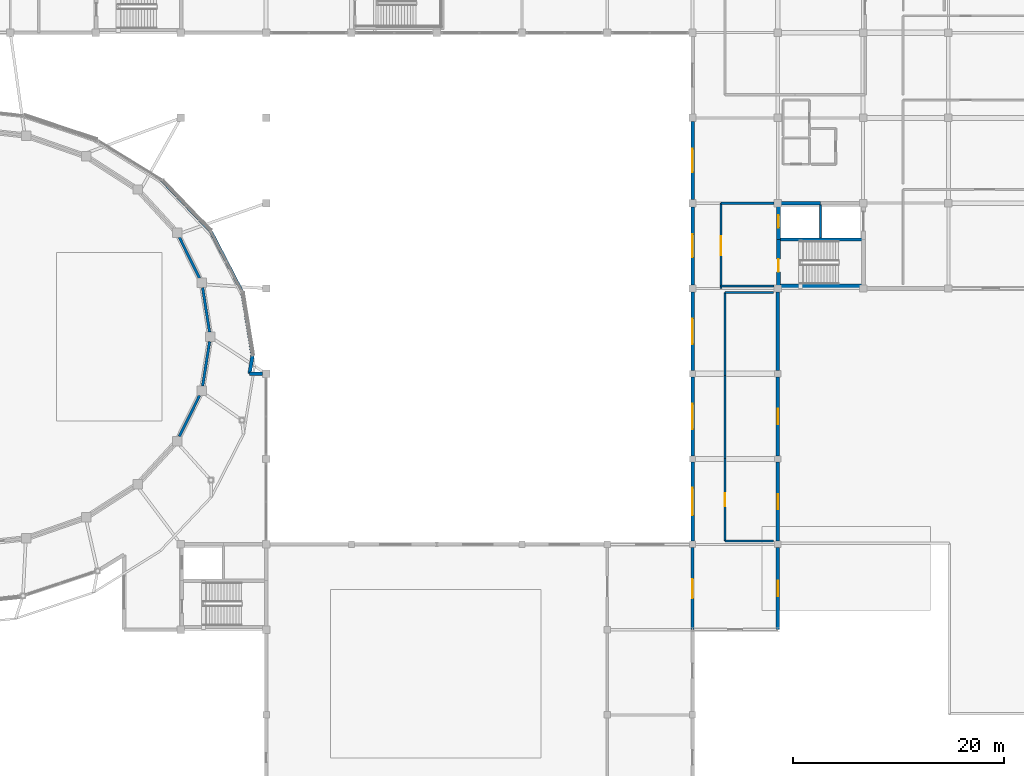
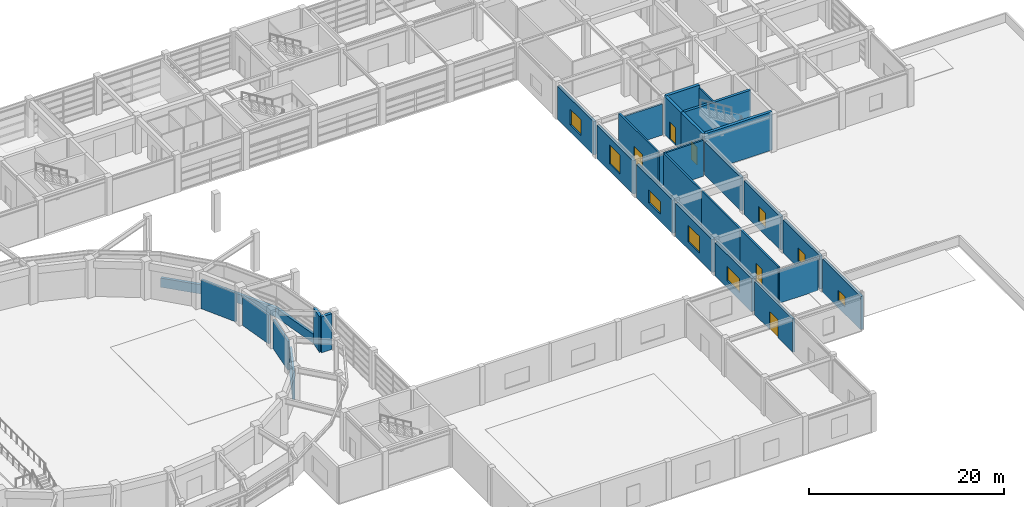
# One storey, part 38 of 56: 33 walls, 8 windows, 5 doors, 13 openings.
"""IFC4 building model written with IfcOpenShell, lengths in metres."""

from ifc_helpers import new_model, si_unit, direction, frame, frame_2d, origin, place, context, subcontext, project, spatial, rectangle, extrude, material, layer, layer_set, type_object, element, fill, save


model = new_model("IFC4")

# Units and contexts
model_context = context("Model", 3, precision=1e-05, world=origin(), true_north=direction((0.0, 1.0)))
body_context = subcontext(model_context, "Body", "Model", "MODEL_VIEW")
ifc_project = project(units=[si_unit("LENGTHUNIT", "METRE"), si_unit("AREAUNIT", "SQUARE_METRE"), si_unit("VOLUMEUNIT", "CUBIC_METRE"), si_unit("PLANEANGLEUNIT", "RADIAN"), si_unit("MASSUNIT", "GRAM", prefix="KILO")], contexts=[model_context])

# Site, building, storey
site_placement = place(None, origin())
site = spatial("IfcSite", under=ifc_project, at=site_placement, CompositionType="ELEMENT")
building_placement = place(site_placement, origin())
building = spatial("IfcBuilding", under=site, at=building_placement, Name="Parian Resonance Hall", CompositionType="ELEMENT")
storey_placement = place(building_placement, frame((0.0, 0.0, 5.39990234375)))
storey = spatial("IfcBuildingStorey", under=building, at=storey_placement, Name="L01", CompositionType="ELEMENT", Elevation=5.39990234375)

# Wall
ifc_material_1 = material(Name="Concrete C40/50", Category="concrete")
ifc_layer_1 = layer(ifc_material_1, 0.31005859375)
ifc_layer_set_1 = layer_set([ifc_layer_1], Name="Concrete C40/50")
wall_type_1 = type_object("IfcWallType", Name="CW310", PredefinedType="SHEAR", material=ifc_layer_set_1)
wall_1_placement = place(storey_placement, frame((121.570068359375, 53.25, 0.0), z_axis=(0.0, 0.0, 1.0), x_axis=(1.0, 0.0, 0.0)))
element("IfcWall", 1, at=wall_1_placement, inside=storey, type_object=wall_type_1, Name="Core K2 stair-lift divider wall L01", PredefinedType="SHEAR", context=body_context, shape_type="SweptSolid", body=[
    extrude(rectangle(XDim=8.059814453125, YDim=0.31005859375, at=frame_2d((4.02978515625, 0.0))), origin(), (0.0, 0.0, 1.0), 4.800048828125),
])

# Wall, opening, door
ifc_material_2 = material(Name="Concrete C40/50", Category="concrete")
ifc_layer_2 = layer(ifc_material_2, 0.35009765625)
ifc_layer_set_2 = layer_set([ifc_layer_2], Name="Concrete C40/50")
wall_type_2 = type_object("IfcWallType", Name="CW350", PredefinedType="SHEAR", material=ifc_layer_set_2)
wall_2_placement = place(storey_placement, frame((121.570068359375, 48.830078125, 0.0), z_axis=(0.0, 0.0, 1.0), x_axis=(0.0, 1.0, 0.0)))
wall_2 = element("IfcWall", 2, at=wall_2_placement, inside=storey, type_object=wall_type_2, Name="Core K2 stairwell west shear wall L01", PredefinedType="SHEAR", context=body_context, shape_type="SweptSolid", body=[
    extrude(rectangle(XDim=4.419921875, YDim=0.35009765625, at=frame_2d((2.2099609375, 0.0))), origin(), (0.0, 0.0, 1.0), 4.800048828125),
])
opening_1_placement = place(wall_2_placement, frame((1.35009765625, 0.0, 0.0)))
opening_1 = element("IfcOpeningElement", 3, at=opening_1_placement, cuts=wall_2, Name="Opening FD-01", PredefinedType="OPENING", context=body_context, shape_type="SweptSolid", body=[
    extrude(rectangle(XDim=1.199951171875, YDim=2.25, at=frame_2d((0.60009765625, 1.125))), frame((0.0, 0.18505859375, 0.0), z_axis=(0.0, -1.0, 0.0), x_axis=(1.0, 0.0, 0.0)), (0.0, 0.0, 1.0), 0.3701171875),
])
ifc_material_3 = material(Name="Fire-rated acoustic steel and narra timber door", Category="steel")
door_type_1 = type_object("IfcDoorType", Name="FD-01", OperationType="NOTDEFINED", PredefinedType="DOOR", material=ifc_material_3)
door_1_placement = place(opening_1_placement, origin())
door_1 = element("IfcDoor", 4, at=door_1_placement, inside=storey, type_object=door_type_1, Name="Exit stair ST-02 fire door L01", OperationType="SINGLE_SWING_RIGHT", OverallHeight=2.25, OverallWidth=1.199951171875, PredefinedType="DOOR", context=body_context, shape_type="SweptSolid", body=[
    extrude(rectangle(XDim=1.199951171875, YDim=2.25, at=frame_2d((0.60009765625, 1.125))), frame((0.0, 0.02490234375, 0.0), z_axis=(0.0, -1.0, 0.0), x_axis=(1.0, 0.0, 0.0)), (0.0, 0.0, 1.0), 0.050048828125),
])
fill(opening_1, door_1)

wall_3_placement = place(storey_placement, frame((121.570068359375, 53.25, 0.0), z_axis=(0.0, 0.0, 1.0), x_axis=(0.0, 1.0, 0.0)))
wall_3 = element("IfcWall", 5, at=wall_3_placement, inside=storey, type_object=wall_type_2, Name="Core K2 lift shaft west shear wall L01", PredefinedType="SHEAR", context=body_context, shape_type="SweptSolid", body=[
    extrude(rectangle(XDim=3.449951171875, YDim=0.35009765625, at=frame_2d((1.72509765625, 0.0))), origin(), (0.0, 0.0, 1.0), 4.800048828125),
])
opening_2_placement = place(wall_3_placement, frame((1.125, 0.0, 0.0)))
opening_2 = element("IfcOpeningElement", 6, at=opening_2_placement, cuts=wall_3, Name="Opening LD-01", PredefinedType="OPENING", context=body_context, shape_type="SweptSolid", body=[
    extrude(rectangle(XDim=1.199951171875, YDim=2.199951171875, at=frame_2d((0.60009765625, 1.10009765625))), frame((0.0, 0.18505859375, 0.0), z_axis=(0.0, -1.0, 0.0), x_axis=(1.0, 0.0, 0.0)), (0.0, 0.0, 1.0), 0.3701171875),
])
ifc_material_4 = material(Name="Stainless steel and bronze elevator cab", Category="steel")
door_type_2 = type_object("IfcDoorType", Name="DOOR-LIFT-1200x2200", OperationType="SLIDING_TO_LEFT", PredefinedType="DOOR", material=ifc_material_4)
door_2_placement = place(opening_2_placement, origin())
door_2 = element("IfcDoor", 7, at=door_2_placement, inside=storey, type_object=door_type_2, Name="Lift LF-02 sliding landing door L01", OperationType="SLIDING_TO_LEFT", OverallHeight=2.199951171875, OverallWidth=1.199951171875, PredefinedType="DOOR", context=body_context, shape_type="SweptSolid", body=[
    extrude(rectangle(XDim=1.199951171875, YDim=2.199951171875, at=frame_2d((0.60009765625, 1.10009765625))), frame((0.0, 0.02490234375, 0.0), z_axis=(0.0, -1.0, 0.0), x_axis=(1.0, 0.0, 0.0)), (0.0, 0.0, 1.0), 0.050048828125),
])
fill(opening_2, door_2)

# Walls
wall_4_placement = place(storey_placement, frame((121.570068359375, 56.699951171875, 0.0), z_axis=(0.0, 0.0, 1.0), x_axis=(1.0, 0.0, 0.0)))
element("IfcWall", 8, at=wall_4_placement, inside=storey, type_object=wall_type_2, Name="Core K2 north-west shaft wall L01", PredefinedType="SHEAR", context=body_context, shape_type="SweptSolid", body=[
    extrude(rectangle(XDim=3.97998046875, YDim=0.35009765625, at=frame_2d((1.989990234375, 0.0))), origin(), (0.0, 0.0, 1.0), 4.800048828125),
])
wall_5_placement = place(storey_placement, frame((129.6298828125, 48.830078125, 0.0), z_axis=(0.0, 0.0, 1.0), x_axis=(-1.0, 0.0, 0.0)))
element("IfcWall", 9, at=wall_5_placement, inside=storey, type_object=wall_type_2, Name="Core K2 stairwell south wall L01", PredefinedType="SHEAR", context=body_context, shape_type="SweptSolid", body=[
    extrude(rectangle(XDim=8.059814453125, YDim=0.35009765625, at=frame_2d((4.02978515625, 0.0))), origin(), (0.0, 0.0, 1.0), 4.800048828125),
])
ifc_material_5 = material(Name="Concrete C35/45 with white lime plaster and polychrome mosaic", Category="concrete")
ifc_layer_3 = layer(ifc_material_5, 0.320068359375)
ifc_layer_set_3 = layer_set([ifc_layer_3], Name="Concrete C35/45 with white lime plaster and polychrome mosaic")
wall_type_3 = type_object("IfcWallType", Name="EW-RING-320", PredefinedType="SOLIDWALL", material=ifc_layer_set_3)
wall_6_placement = place(storey_placement, frame((70.59814453125, 48.30810546875, 0.0), z_axis=(0.0, 0.0, 1.0), x_axis=(0.161871996396, -0.986811763602, 0.0)))
element("IfcWall", 10, at=wall_6_placement, inside=storey, type_object=wall_type_3, Name="Elliptical R1 mosaic spandrel wall 01", PredefinedType="SOLIDWALL", context=body_context, shape_type="SweptSolid", body=[
    extrude(rectangle(XDim=6.189697265625, YDim=0.320068359375, at=frame_2d((3.0947265625, 0.0))), origin(), (0.0, 0.0, 1.0), 1.150146484375),
])
wall_7_placement = place(storey_placement, frame((67.6611328125, 54.0, 0.0), z_axis=(0.0, 0.0, 1.0), x_axis=(0.458551648707, -0.888667758765, 0.0)))
element("IfcWall", 11, at=wall_7_placement, inside=storey, type_object=wall_type_3, Name="Elliptical R1 mosaic spandrel wall 02", PredefinedType="SOLIDWALL", context=body_context, shape_type="SweptSolid", body=[
    extrude(rectangle(XDim=6.405029296875, YDim=0.320068359375, at=frame_2d((3.20263671875, 0.0))), origin(), (0.0, 0.0, 1.0), 1.150146484375),
])
wall_8_placement = place(storey_placement, frame((62.989013671875, 58.8876953125, 0.0), z_axis=(0.0, 0.0, 1.0), x_axis=(0.690985683524, -0.722868442502, 0.0)))
element("IfcWall", 12, at=wall_8_placement, inside=storey, type_object=wall_type_3, Name="Elliptical R1 mosaic spandrel wall 03", PredefinedType="SOLIDWALL", context=body_context, shape_type="SweptSolid", body=[
    extrude(rectangle(XDim=6.761474609375, YDim=0.320068359375, at=frame_2d((3.380859375, 0.0))), origin(), (0.0, 0.0, 1.0), 1.150146484375),
])

# Wall, opening, window
ifc_material_6 = material(Name="Concrete C35/45 with Carcar coral-limestone ashlar", Category="masonry")
ifc_layer_4 = layer(ifc_material_6, 0.340087890625)
ifc_layer_set_4 = layer_set([ifc_layer_4], Name="Concrete C35/45 with Carcar coral-limestone ashlar")
wall_type_4 = type_object("IfcWallType", Name="EW-STONE-340", PredefinedType="SOLIDWALL", material=ifc_layer_set_4)
wall_9_placement = place(storey_placement, frame((121.5, 16.199951171875, 0.0), z_axis=(0.0, 0.0, 1.0), x_axis=(0.0, 1.0, 0.0)))
wall_9 = element("IfcWall", 13, at=wall_9_placement, inside=storey, type_object=wall_type_4, Name="Perimeter closure wall L01", PredefinedType="SOLIDWALL", context=body_context, shape_type="SweptSolid", body=[
    extrude(rectangle(XDim=7.800048828125, YDim=0.340087890625, at=frame_2d((3.89990234375, 0.0))), origin(), (0.0, 0.0, 1.0), 4.1669921875),
])
opening_3_placement = place(wall_9_placement, frame((3.175048828125, 0.0, 0.89990234375)))
opening_3 = element("IfcOpeningElement", 14, at=opening_3_placement, cuts=wall_9, Name="Opening WN-20", PredefinedType="OPENING", context=body_context, shape_type="SweptSolid", body=[
    extrude(rectangle(XDim=1.449951171875, YDim=1.300048828125, at=frame_2d((0.72509765625, 0.64990234375))), frame((0.0, 0.179931640625, 0.0), z_axis=(0.0, -1.0, 0.0), x_axis=(1.0, 0.0, 0.0)), (0.0, 0.0, 1.0), 0.360107421875),
])
ifc_material_7 = material(Name="Acoustic laminated double glazing", Category="glass")
window_type_1 = type_object("IfcWindowType", Name="WIN-1450x1300", PartitioningType="SINGLE_PANEL", PredefinedType="WINDOW", material=ifc_material_7)
window_1_placement = place(opening_3_placement, origin())
window_1 = element("IfcWindow", 15, at=window_1_placement, inside=storey, type_object=window_type_1, Name="Acoustic window L01-0059", OverallHeight=1.300048828125, OverallWidth=1.449951171875, PartitioningType="SINGLE_PANEL", PredefinedType="WINDOW", context=body_context, shape_type="SweptSolid", body=[
    extrude(rectangle(XDim=1.449951171875, YDim=1.300048828125, at=frame_2d((0.72509765625, 0.64990234375))), frame((0.0, 0.030029296875, 0.0), z_axis=(0.0, -1.0, 0.0), x_axis=(1.0, 0.0, 0.0)), (0.0, 0.0, 1.0), 0.06005859375),
])
fill(opening_3, window_1)

wall_10_placement = place(storey_placement, frame((121.5, 24.60009765625, 0.0), z_axis=(0.0, 0.0, 1.0), x_axis=(0.0, 1.0, 0.0)))
wall_10 = element("IfcWall", 16, at=wall_10_placement, inside=storey, type_object=wall_type_4, Name="Perimeter closure wall L01", PredefinedType="SOLIDWALL", context=body_context, shape_type="SweptSolid", body=[
    extrude(rectangle(XDim=7.5, YDim=0.340087890625, at=frame_2d((3.75, 0.0))), origin(), (0.0, 0.0, 1.0), 4.1669921875),
])
opening_4_placement = place(wall_10_placement, frame((3.02490234375, 0.0, 0.89990234375)))
opening_4 = element("IfcOpeningElement", 17, at=opening_4_placement, cuts=wall_10, Name="Opening WN-21", PredefinedType="OPENING", context=body_context, shape_type="SweptSolid", body=[
    extrude(rectangle(XDim=1.449951171875, YDim=1.60009765625, at=frame_2d((0.72509765625, 0.800048828125))), frame((0.0, 0.179931640625, 0.0), z_axis=(0.0, -1.0, 0.0), x_axis=(1.0, 0.0, 0.0)), (0.0, 0.0, 1.0), 0.360107421875),
])
ifc_material_8 = material(Name="Acoustic laminated double glazing", Category="glass")
window_type_2 = type_object("IfcWindowType", Name="WIN-1450x1600", PartitioningType="SINGLE_PANEL", PredefinedType="WINDOW", material=ifc_material_8)
window_2_placement = place(opening_4_placement, origin())
window_2 = element("IfcWindow", 18, at=window_2_placement, inside=storey, type_object=window_type_2, Name="Acoustic window L01-0060", OverallHeight=1.60009765625, OverallWidth=1.449951171875, PartitioningType="SINGLE_PANEL", PredefinedType="WINDOW", context=body_context, shape_type="SweptSolid", body=[
    extrude(rectangle(XDim=1.449951171875, YDim=1.60009765625, at=frame_2d((0.72509765625, 0.800048828125))), frame((0.0, 0.030029296875, 0.0), z_axis=(0.0, -1.0, 0.0), x_axis=(1.0, 0.0, 0.0)), (0.0, 0.0, 1.0), 0.06005859375),
])
fill(opening_4, window_2)

wall_11_placement = place(storey_placement, frame((121.5, 32.699951171875, 0.0), z_axis=(0.0, 0.0, 1.0), x_axis=(0.0, 1.0, 0.0)))
wall_11 = element("IfcWall", 19, at=wall_11_placement, inside=storey, type_object=wall_type_4, Name="Perimeter closure wall L01", PredefinedType="SOLIDWALL", context=body_context, shape_type="SweptSolid", body=[
    extrude(rectangle(XDim=7.5, YDim=0.340087890625, at=frame_2d((3.75, 0.0))), origin(), (0.0, 0.0, 1.0), 4.1669921875),
])
opening_5_placement = place(wall_11_placement, frame((3.02490234375, 0.0, 0.89990234375)))
opening_5 = element("IfcOpeningElement", 20, at=opening_5_placement, cuts=wall_11, Name="Opening WN-22", PredefinedType="OPENING", context=body_context, shape_type="SweptSolid", body=[
    extrude(rectangle(XDim=1.449951171875, YDim=1.89990234375, at=frame_2d((0.72509765625, 0.949951171875))), frame((0.0, 0.179931640625, 0.0), z_axis=(0.0, -1.0, 0.0), x_axis=(1.0, 0.0, 0.0)), (0.0, 0.0, 1.0), 0.360107421875),
])
ifc_material_9 = material(Name="Acoustic laminated double glazing", Category="glass")
window_type_3 = type_object("IfcWindowType", Name="WIN-1450x1900", PartitioningType="SINGLE_PANEL", PredefinedType="WINDOW", material=ifc_material_9)
window_3_placement = place(opening_5_placement, origin())
window_3 = element("IfcWindow", 21, at=window_3_placement, inside=storey, type_object=window_type_3, Name="Acoustic window L01-0061", OverallHeight=1.89990234375, OverallWidth=1.449951171875, PartitioningType="SINGLE_PANEL", PredefinedType="WINDOW", context=body_context, shape_type="SweptSolid", body=[
    extrude(rectangle(XDim=1.449951171875, YDim=1.89990234375, at=frame_2d((0.72509765625, 0.949951171875))), frame((0.0, 0.030029296875, 0.0), z_axis=(0.0, -1.0, 0.0), x_axis=(1.0, 0.0, 0.0)), (0.0, 0.0, 1.0), 0.06005859375),
])
fill(opening_5, window_3)

# Wall
wall_12_placement = place(storey_placement, frame((121.5, 40.800048828125, 0.0), z_axis=(0.0, 0.0, 1.0), x_axis=(0.0, 1.0, 0.0)))
element("IfcWall", 22, at=wall_12_placement, inside=storey, type_object=wall_type_4, Name="Perimeter closure wall L01", PredefinedType="SOLIDWALL", context=body_context, shape_type="SweptSolid", body=[
    extrude(rectangle(XDim=7.449951171875, YDim=0.340087890625, at=frame_2d((3.72509765625, 0.0))), origin(), (0.0, 0.0, 1.0), 4.1669921875),
])

# Wall, opening, window
wall_13_placement = place(storey_placement, frame((113.39990234375, 64.449951171875, 0.0), z_axis=(0.0, 0.0, 1.0), x_axis=(0.0, -1.0, 0.0)))
wall_13 = element("IfcWall", 23, at=wall_13_placement, inside=storey, type_object=wall_type_4, Name="Perimeter closure wall L01", PredefinedType="SOLIDWALL", context=body_context, shape_type="SweptSolid", body=[
    extrude(rectangle(XDim=7.39990234375, YDim=0.340087890625, at=frame_2d((3.699951171875, 0.0))), origin(), (0.0, 0.0, 1.0), 4.1669921875),
])
opening_6_placement = place(wall_13_placement, frame((2.60009765625, 0.0, 0.89990234375)))
opening_6 = element("IfcOpeningElement", 24, at=opening_6_placement, cuts=wall_13, Name="Opening WN-40", PredefinedType="OPENING", context=body_context, shape_type="SweptSolid", body=[
    extrude(rectangle(XDim=2.199951171875, YDim=1.949951171875, at=frame_2d((1.10009765625, 0.97509765625))), frame((0.0, 0.179931640625, 0.0), z_axis=(0.0, -1.0, 0.0), x_axis=(1.0, 0.0, 0.0)), (0.0, 0.0, 1.0), 0.360107421875),
])
ifc_material_10 = material(Name="Acoustic laminated double glazing", Category="glass")
window_type_4 = type_object("IfcWindowType", Name="WIN-2200x1950", PartitioningType="SINGLE_PANEL", PredefinedType="WINDOW", material=ifc_material_10)
window_4_placement = place(opening_6_placement, origin())
window_4 = element("IfcWindow", 25, at=window_4_placement, inside=storey, type_object=window_type_4, Name="Acoustic window L01-0072", OverallHeight=1.949951171875, OverallWidth=2.199951171875, PartitioningType="SINGLE_PANEL", PredefinedType="WINDOW", context=body_context, shape_type="SweptSolid", body=[
    extrude(rectangle(XDim=2.199951171875, YDim=1.949951171875, at=frame_2d((1.10009765625, 0.97509765625))), frame((0.0, 0.030029296875, 0.0), z_axis=(0.0, -1.0, 0.0), x_axis=(1.0, 0.0, 0.0)), (0.0, 0.0, 1.0), 0.06005859375),
])
fill(opening_6, window_4)

wall_14_placement = place(storey_placement, frame((113.39990234375, 56.35009765625, 0.0), z_axis=(0.0, 0.0, 1.0), x_axis=(0.0, -1.0, 0.0)))
wall_14 = element("IfcWall", 26, at=wall_14_placement, inside=storey, type_object=wall_type_4, Name="Perimeter closure wall L01", PredefinedType="SOLIDWALL", context=body_context, shape_type="SweptSolid", body=[
    extrude(rectangle(XDim=7.400146484375, YDim=0.340087890625, at=frame_2d((3.7001953125, 0.0))), origin(), (0.0, 0.0, 1.0), 4.1669921875),
])
opening_7_placement = place(wall_14_placement, frame((2.60009765625, 0.0, 0.89990234375)))
opening_7 = element("IfcOpeningElement", 27, at=opening_7_placement, cuts=wall_14, Name="Opening WN-41", PredefinedType="OPENING", context=body_context, shape_type="SweptSolid", body=[
    extrude(rectangle(XDim=2.199951171875, YDim=2.39990234375, at=frame_2d((1.10009765625, 1.199951171875))), frame((0.0, 0.179931640625, 0.0), z_axis=(0.0, -1.0, 0.0), x_axis=(1.0, 0.0, 0.0)), (0.0, 0.0, 1.0), 0.360107421875),
])
ifc_material_11 = material(Name="Acoustic laminated double glazing", Category="glass")
window_type_5 = type_object("IfcWindowType", Name="WIN-2200x2400", PartitioningType="SINGLE_PANEL", PredefinedType="WINDOW", material=ifc_material_11)
window_5_placement = place(opening_7_placement, origin())
window_5 = element("IfcWindow", 28, at=window_5_placement, inside=storey, type_object=window_type_5, Name="Acoustic window L01-0073", OverallHeight=2.39990234375, OverallWidth=2.199951171875, PartitioningType="SINGLE_PANEL", PredefinedType="WINDOW", context=body_context, shape_type="SweptSolid", body=[
    extrude(rectangle(XDim=2.199951171875, YDim=2.39990234375, at=frame_2d((1.10009765625, 1.199951171875))), frame((0.0, 0.030029296875, 0.0), z_axis=(0.0, -1.0, 0.0), x_axis=(1.0, 0.0, 0.0)), (0.0, 0.0, 1.0), 0.06005859375),
])
fill(opening_7, window_5)

wall_15_placement = place(storey_placement, frame((113.39990234375, 48.25, 0.0), z_axis=(0.0, 0.0, 1.0), x_axis=(0.0, -1.0, 0.0)))
wall_15 = element("IfcWall", 29, at=wall_15_placement, inside=storey, type_object=wall_type_4, Name="Perimeter closure wall L01", PredefinedType="SOLIDWALL", context=body_context, shape_type="SweptSolid", body=[
    extrude(rectangle(XDim=7.449951171875, YDim=0.340087890625, at=frame_2d((3.72509765625, 0.0))), origin(), (0.0, 0.0, 1.0), 4.1669921875),
])
opening_8_placement = place(wall_15_placement, frame((2.52490234375, 0.0, 0.89990234375)))
opening_8 = element("IfcOpeningElement", 30, at=opening_8_placement, cuts=wall_15, Name="Opening WN-42", PredefinedType="OPENING", context=body_context, shape_type="SweptSolid", body=[
    extrude(rectangle(XDim=2.39990234375, YDim=1.60009765625, at=frame_2d((1.199951171875, 0.800048828125))), frame((0.0, 0.179931640625, 0.0), z_axis=(0.0, -1.0, 0.0), x_axis=(1.0, 0.0, 0.0)), (0.0, 0.0, 1.0), 0.360107421875),
])
ifc_material_12 = material(Name="Acoustic laminated double glazing", Category="glass")
window_type_6 = type_object("IfcWindowType", Name="WIN-2400x1600", PartitioningType="SINGLE_PANEL", PredefinedType="WINDOW", material=ifc_material_12)
window_6_placement = place(opening_8_placement, origin())
window_6 = element("IfcWindow", 31, at=window_6_placement, inside=storey, type_object=window_type_6, Name="Acoustic window L01-0074", OverallHeight=1.60009765625, OverallWidth=2.39990234375, PartitioningType="SINGLE_PANEL", PredefinedType="WINDOW", context=body_context, shape_type="SweptSolid", body=[
    extrude(rectangle(XDim=2.39990234375, YDim=1.60009765625, at=frame_2d((1.199951171875, 0.800048828125))), frame((0.0, 0.030029296875, 0.0), z_axis=(0.0, -1.0, 0.0), x_axis=(1.0, 0.0, 0.0)), (0.0, 0.0, 1.0), 0.06005859375),
])
fill(opening_8, window_6)

wall_16_placement = place(storey_placement, frame((113.39990234375, 40.199951171875, 0.0), z_axis=(0.0, 0.0, 1.0), x_axis=(0.0, -1.0, 0.0)))
wall_16 = element("IfcWall", 32, at=wall_16_placement, inside=storey, type_object=wall_type_4, Name="Perimeter closure wall L01", PredefinedType="SOLIDWALL", context=body_context, shape_type="SweptSolid", body=[
    extrude(rectangle(XDim=7.5, YDim=0.340087890625, at=frame_2d((3.75, 0.0))), origin(), (0.0, 0.0, 1.0), 4.1669921875),
])
opening_9_placement = place(wall_16_placement, frame((2.550048828125, 0.0, 0.89990234375)))
opening_9 = element("IfcOpeningElement", 33, at=opening_9_placement, cuts=wall_16, Name="Opening WN-43", PredefinedType="OPENING", context=body_context, shape_type="SweptSolid", body=[
    extrude(rectangle(XDim=2.39990234375, YDim=2.10009765625, at=frame_2d((1.199951171875, 1.050048828125))), frame((0.0, 0.179931640625, 0.0), z_axis=(0.0, -1.0, 0.0), x_axis=(1.0, 0.0, 0.0)), (0.0, 0.0, 1.0), 0.360107421875),
])
ifc_material_13 = material(Name="Acoustic laminated double glazing", Category="glass")
window_type_7 = type_object("IfcWindowType", Name="WIN-2400x2100", PartitioningType="SINGLE_PANEL", PredefinedType="WINDOW", material=ifc_material_13)
window_7_placement = place(opening_9_placement, origin())
window_7 = element("IfcWindow", 34, at=window_7_placement, inside=storey, type_object=window_type_7, Name="Acoustic window L01-0075", OverallHeight=2.10009765625, OverallWidth=2.39990234375, PartitioningType="SINGLE_PANEL", PredefinedType="WINDOW", context=body_context, shape_type="SweptSolid", body=[
    extrude(rectangle(XDim=2.39990234375, YDim=2.10009765625, at=frame_2d((1.199951171875, 1.050048828125))), frame((0.0, 0.030029296875, 0.0), z_axis=(0.0, -1.0, 0.0), x_axis=(1.0, 0.0, 0.0)), (0.0, 0.0, 1.0), 0.06005859375),
])
fill(opening_9, window_7)

wall_17_placement = place(storey_placement, frame((113.39990234375, 32.10009765625, 0.0), z_axis=(0.0, 0.0, 1.0), x_axis=(0.0, -1.0, 0.0)))
wall_17 = element("IfcWall", 35, at=wall_17_placement, inside=storey, type_object=wall_type_4, Name="Perimeter closure wall L01", PredefinedType="SOLIDWALL", context=body_context, shape_type="SweptSolid", body=[
    extrude(rectangle(XDim=7.5, YDim=0.340087890625, at=frame_2d((3.75, 0.0))), origin(), (0.0, 0.0, 1.0), 4.1669921875),
])
opening_10_placement = place(wall_17_placement, frame((2.449951171875, 0.0, 0.89990234375)))
opening_10 = element("IfcOpeningElement", 36, at=opening_10_placement, cuts=wall_17, Name="Opening WN-44", PredefinedType="OPENING", context=body_context, shape_type="SweptSolid", body=[
    extrude(rectangle(XDim=2.60009765625, YDim=1.800048828125, at=frame_2d((1.300048828125, 0.89990234375))), frame((0.0, 0.179931640625, 0.0), z_axis=(0.0, -1.0, 0.0), x_axis=(1.0, 0.0, 0.0)), (0.0, 0.0, 1.0), 0.360107421875),
])
ifc_material_14 = material(Name="Acoustic laminated double glazing", Category="glass")
window_type_8 = type_object("IfcWindowType", Name="WIN-2600x1800", PartitioningType="SINGLE_PANEL", PredefinedType="WINDOW", material=ifc_material_14)
window_8_placement = place(opening_10_placement, origin())
window_8 = element("IfcWindow", 37, at=window_8_placement, inside=storey, type_object=window_type_8, Name="Acoustic window L01-0076", OverallHeight=1.800048828125, OverallWidth=2.60009765625, PartitioningType="SINGLE_PANEL", PredefinedType="WINDOW", context=body_context, shape_type="SweptSolid", body=[
    extrude(rectangle(XDim=2.60009765625, YDim=1.800048828125, at=frame_2d((1.300048828125, 0.89990234375))), frame((0.0, 0.030029296875, 0.0), z_axis=(0.0, -1.0, 0.0), x_axis=(1.0, 0.0, 0.0)), (0.0, 0.0, 1.0), 0.06005859375),
])
fill(opening_10, window_8)

# Walls
wall_18_placement = place(storey_placement, frame((72.550048828125, 40.5, 0.0), z_axis=(0.0, 0.0, 1.0), x_axis=(-1.0, 0.0, 0.0)))
element("IfcWall", 38, at=wall_18_placement, inside=storey, type_object=wall_type_4, Name="Perimeter closure wall L01", PredefinedType="SOLIDWALL", context=body_context, shape_type="SweptSolid", body=[
    extrude(rectangle(XDim=1.22900390625, YDim=0.340087890625, at=frame_2d((0.614501953125, 0.0))), origin(), (0.0, 0.0, 1.0), 4.5),
])
wall_19_placement = place(storey_placement, frame((71.321044921875, 40.5, 0.0), z_axis=(0.0, 0.0, 1.0), x_axis=(0.161985432953, 0.986793149303, 0.0)))
element("IfcWall", 39, at=wall_19_placement, inside=storey, type_object=wall_type_4, Name="Perimeter closure wall L01", PredefinedType="SOLIDWALL", context=body_context, shape_type="SweptSolid", body=[
    extrude(rectangle(XDim=1.72265625, YDim=0.340087890625, at=frame_2d((0.861328125, 0.0))), origin(), (0.0, 0.0, 1.0), 4.5),
])

# Wall, opening, door
ifc_material_15 = material(Name="Concrete C35/45 fire barrier", Category="concrete")
ifc_layer_5 = layer(ifc_material_15, 0.199951171875)
ifc_layer_set_5 = layer_set([ifc_layer_5], Name="Concrete C35/45 fire barrier")
wall_type_5 = type_object("IfcWallType", Name="FW200", PredefinedType="PARTITIONING", material=ifc_layer_set_5)
wall_20_placement = place(storey_placement, frame((116.10009765625, 48.60009765625, 0.0), z_axis=(0.0, 0.0, 1.0), x_axis=(0.0, 1.0, 0.0)))
wall_20 = element("IfcWall", 40, at=wall_20_placement, inside=storey, type_object=wall_type_5, Name="Firefighting lift lobby K2 west fire barrier L01", PredefinedType="PARTITIONING", context=body_context, shape_type="SweptSolid", body=[
    extrude(rectangle(XDim=8.099853515625, YDim=0.199951171875, at=frame_2d((4.0498046875, 0.0))), origin(), (0.0, 0.0, 1.0), 4.5),
])
opening_11_placement = place(wall_20_placement, frame((3.14990234375, 0.0, 0.0)))
opening_11 = element("IfcOpeningElement", 41, at=opening_11_placement, cuts=wall_20, Name="Opening FD-02", PredefinedType="OPENING", context=body_context, shape_type="SweptSolid", body=[
    extrude(rectangle(XDim=1.800048828125, YDim=2.25, at=frame_2d((0.89990234375, 1.125))), frame((0.0, 0.10986328125, 0.0), z_axis=(0.0, -1.0, 0.0), x_axis=(1.0, 0.0, 0.0)), (0.0, 0.0, 1.0), 0.219970703125),
])
ifc_material_16 = material(Name="Fire-rated acoustic steel and narra timber door", Category="steel")
door_type_3 = type_object("IfcDoorType", Name="FD-02", OperationType="NOTDEFINED", PredefinedType="DOOR", material=ifc_material_16)
door_3_placement = place(opening_11_placement, origin())
door_3 = element("IfcDoor", 42, at=door_3_placement, inside=storey, type_object=door_type_3, Name="Firefighting lift lobby K2 smoke-seal fire door L01", OperationType="DOUBLE_DOOR_SINGLE_SWING", OverallHeight=2.25, OverallWidth=1.800048828125, PredefinedType="DOOR", context=body_context, shape_type="SweptSolid", body=[
    extrude(rectangle(XDim=1.800048828125, YDim=2.25, at=frame_2d((0.89990234375, 1.125))), frame((0.0, 0.02490234375, 0.0), z_axis=(0.0, -1.0, 0.0), x_axis=(1.0, 0.0, 0.0)), (0.0, 0.0, 1.0), 0.050048828125),
])
fill(opening_11, door_3)

# Walls
wall_21_placement = place(storey_placement, frame((116.10009765625, 56.699951171875, 0.0), z_axis=(0.0, 0.0, 1.0), x_axis=(1.0, 0.0, 0.0)))
element("IfcWall", 43, at=wall_21_placement, inside=storey, type_object=wall_type_5, Name="Firefighting lift lobby K2 N fire barrier L01", PredefinedType="PARTITIONING", context=body_context, shape_type="SweptSolid", body=[
    extrude(rectangle(XDim=5.0498046875, YDim=0.199951171875, at=frame_2d((2.52490234375, 0.0))), origin(), (0.0, 0.0, 1.0), 3.916015625),
])
wall_22_placement = place(storey_placement, frame((121.14990234375, 48.830078125, 0.0), z_axis=(0.0, 0.0, 1.0), x_axis=(-1.0, 0.0, 0.0)))
element("IfcWall", 44, at=wall_22_placement, inside=storey, type_object=wall_type_5, Name="Firefighting lift lobby K2 S fire barrier L01", PredefinedType="PARTITIONING", context=body_context, shape_type="SweptSolid", body=[
    extrude(rectangle(XDim=5.0498046875, YDim=0.199951171875, at=frame_2d((2.52490234375, 0.0))), origin(), (0.0, 0.0, 1.0), 3.97998046875),
])
wall_23_placement = place(storey_placement, frame((121.10009765625, 24.60009765625, 0.0), z_axis=(0.0, 0.0, 1.0), x_axis=(-1.0, 0.0, 0.0)))
element("IfcWall", 45, at=wall_23_placement, inside=storey, type_object=wall_type_5, Name="Interior acoustic partition IW-L01-0155", PredefinedType="PARTITIONING", context=body_context, shape_type="SweptSolid", body=[
    extrude(rectangle(XDim=4.60009765625, YDim=0.199951171875, at=frame_2d((2.300048828125, 0.0))), origin(), (0.0, 0.0, 1.0), 4.064208984375),
])

# Wall, opening, door
wall_24_placement = place(storey_placement, frame((116.5, 24.60009765625, 0.0), z_axis=(0.0, 0.0, 1.0), x_axis=(0.0, 1.0, 0.0)))
wall_24 = element("IfcWall", 46, at=wall_24_placement, inside=storey, type_object=wall_type_5, Name="Interior acoustic partition IW-L01-0156", PredefinedType="PARTITIONING", context=body_context, shape_type="SweptSolid", body=[
    extrude(rectangle(XDim=7.86669921875, YDim=0.199951171875, at=frame_2d((3.933349609375, 0.0))), origin(), (0.0, 0.0, 1.0), 4.52001953125),
])
opening_12_placement = place(wall_24_placement, frame((3.33349609375, 0.0, 0.0)))
opening_12 = element("IfcOpeningElement", 47, at=opening_12_placement, cuts=wall_24, Name="Opening FD-01", PredefinedType="OPENING", context=body_context, shape_type="SweptSolid", body=[
    extrude(rectangle(XDim=1.199951171875, YDim=2.25, at=frame_2d((0.60009765625, 1.125))), frame((0.0, 0.10986328125, 0.0), z_axis=(0.0, -1.0, 0.0), x_axis=(1.0, 0.0, 0.0)), (0.0, 0.0, 1.0), 0.219970703125),
])
door_4_placement = place(opening_12_placement, origin())
door_4 = element("IfcDoor", 48, at=door_4_placement, inside=storey, type_object=door_type_1, Name="Orchestra Instrument and Riser Store door", OperationType="SINGLE_SWING_LEFT", OverallHeight=2.25, OverallWidth=1.199951171875, PredefinedType="DOOR", context=body_context, shape_type="SweptSolid", body=[
    extrude(rectangle(XDim=1.199951171875, YDim=2.25, at=frame_2d((0.60009765625, 1.125))), frame((0.0, 0.02490234375, 0.0), z_axis=(0.0, -1.0, 0.0), x_axis=(1.0, 0.0, 0.0)), (0.0, 0.0, 1.0), 0.050048828125),
])
fill(opening_12, door_4)

# Walls
wall_25_placement = place(storey_placement, frame((116.5, 32.466796875, 0.0), z_axis=(0.0, 0.0, 1.0), x_axis=(0.0, 1.0, 0.0)))
element("IfcWall", 49, at=wall_25_placement, inside=storey, type_object=wall_type_5, Name="Interior acoustic partition IW-L01-0157", PredefinedType="PARTITIONING", context=body_context, shape_type="SweptSolid", body=[
    extrude(rectangle(XDim=7.866455078125, YDim=0.199951171875, at=frame_2d((3.93310546875, 0.0))), origin(), (0.0, 0.0, 1.0), 4.52001953125),
])
wall_26_placement = place(storey_placement, frame((116.5, 40.333251953125, 0.0), z_axis=(0.0, 0.0, 1.0), x_axis=(0.0, 1.0, 0.0)))
element("IfcWall", 50, at=wall_26_placement, inside=storey, type_object=wall_type_5, Name="Interior acoustic partition IW-L01-0158", PredefinedType="PARTITIONING", context=body_context, shape_type="SweptSolid", body=[
    extrude(rectangle(XDim=7.86669921875, YDim=0.199951171875, at=frame_2d((3.933349609375, 0.0))), origin(), (0.0, 0.0, 1.0), 4.52001953125),
])
wall_27_placement = place(storey_placement, frame((116.5, 48.199951171875, 0.0), z_axis=(0.0, 0.0, 1.0), x_axis=(1.0, 0.0, 0.0)))
element("IfcWall", 51, at=wall_27_placement, inside=storey, type_object=wall_type_5, Name="Interior acoustic partition IW-L01-0159", PredefinedType="PARTITIONING", context=body_context, shape_type="SweptSolid", body=[
    extrude(rectangle(XDim=4.60009765625, YDim=0.199951171875, at=frame_2d((2.300048828125, 0.0))), origin(), (0.0, 0.0, 1.0), 4.52001953125),
])
ifc_material_17 = material(Name="Concrete C35/45 fire barrier", Category="concrete")
ifc_layer_6 = layer(ifc_material_17, 0.25)
ifc_layer_set_6 = layer_set([ifc_layer_6], Name="Concrete C35/45 fire barrier")
wall_type_6 = type_object("IfcWallType", Name="HW250", PredefinedType="SOLIDWALL", material=ifc_layer_set_6)
wall_28_placement = place(storey_placement, frame((66.866455078125, 48.674560546875, 0.0), z_axis=(0.0, 0.0, 1.0), x_axis=(0.155003823242, -0.987913870122, 0.0)))
element("IfcWall", 52, at=wall_28_placement, inside=storey, type_object=wall_type_6, Name="Main Concert Hall acoustic drum wall L01-01", PredefinedType="SOLIDWALL", context=body_context, shape_type="SweptSolid", body=[
    extrude(rectangle(XDim=4.2763671875, YDim=0.25, at=frame_2d((2.13818359375, 0.0))), origin(), (0.0, 0.0, 1.0), 3.6240234375),
])
for number, where, z_axis, x_axis, name in (
    (53, (64.660400390625, 53.449951171875, 0.0), (0.0, 0.0, 1.0), (0.44266592796, -0.896686609816, 0.0), "Main Concert Hall acoustic drum wall L01-02"),
    (54, (66.573486328125, 38.42529296875, 0.0), (0.0, 0.0, 1.0), (-0.44266592796, -0.896686609816, 0.0), "Main Concert Hall acoustic drum wall L01-23"),
):
    element("IfcWall", number, at=place(storey_placement, frame(where, z_axis=z_axis, x_axis=x_axis)), inside=storey, type_object=wall_type_6, Name=name, PredefinedType="SOLIDWALL", context=body_context, shape_type="SweptSolid", body=[
        extrude(rectangle(XDim=4.32177734375, YDim=0.25, at=frame_2d((2.160888671875, 0.0))), origin(), (0.0, 0.0, 1.0), 3.6240234375),
    ])
wall_29_placement = place(storey_placement, frame((67.529296875, 43.550048828125, 0.0), z_axis=(0.0, 0.0, 1.0), x_axis=(-0.155003823242, -0.987913870122, 0.0)))
element("IfcWall", 55, at=wall_29_placement, inside=storey, type_object=wall_type_6, Name="Main Concert Hall acoustic drum wall L01-24", PredefinedType="SOLIDWALL", context=body_context, shape_type="SweptSolid", body=[
    extrude(rectangle(XDim=4.2763671875, YDim=0.25, at=frame_2d((2.13818359375, 0.0))), origin(), (0.0, 0.0, 1.0), 3.6240234375),
])

# Wall, opening, door
wall_30_placement = place(storey_placement, frame((113.39990234375, 16.199951171875, 0.0), z_axis=(0.0, 0.0, 1.0), x_axis=(0.0, 1.0, 0.0)))
wall_30 = element("IfcWall", 56, at=wall_30_placement, inside=storey, type_object=wall_type_6, Name="Rehearsal / Folio link corridor acoustic wall L01", PredefinedType="SOLIDWALL", context=body_context, shape_type="SweptSolid", body=[
    extrude(rectangle(XDim=7.800048828125, YDim=0.25, at=frame_2d((3.89990234375, 0.0))), origin(), (0.0, 0.0, 1.0), 4.1669921875),
])
opening_13_placement = place(wall_30_placement, frame((3.0, 0.0, 0.0)))
opening_13 = element("IfcOpeningElement", 57, at=opening_13_placement, cuts=wall_30, Name="Opening FD-02", PredefinedType="OPENING", context=body_context, shape_type="SweptSolid", body=[
    extrude(rectangle(XDim=1.800048828125, YDim=2.25, at=frame_2d((0.89990234375, 1.125))), frame((0.0, 0.135009765625, 0.0), z_axis=(0.0, -1.0, 0.0), x_axis=(1.0, 0.0, 0.0)), (0.0, 0.0, 1.0), 0.27001953125),
])
door_5_placement = place(opening_13_placement, origin())
door_5 = element("IfcDoor", 58, at=door_5_placement, inside=storey, type_object=door_type_3, Name="Musicians link gallery acoustic fire door L01", OperationType="DOUBLE_DOOR_SINGLE_SWING", OverallHeight=2.25, OverallWidth=1.800048828125, PredefinedType="DOOR", context=body_context, shape_type="SweptSolid", body=[
    extrude(rectangle(XDim=1.800048828125, YDim=2.25, at=frame_2d((0.89990234375, 1.125))), frame((0.0, 0.02490234375, 0.0), z_axis=(0.0, -1.0, 0.0), x_axis=(1.0, 0.0, 0.0)), (0.0, 0.0, 1.0), 0.050048828125),
])
fill(opening_13, door_5)

# Wall
ifc_material_18 = material(Name="Concrete C35/45 acoustic plumbing chase wall", Category="concrete")
ifc_layer_7 = layer(ifc_material_18, 0.14990234375)
ifc_layer_set_7 = layer_set([ifc_layer_7], Name="Concrete C35/45 acoustic plumbing chase wall")
wall_type_7 = type_object("IfcWallType", Name="PW150", PredefinedType="PLUMBINGWALL", material=ifc_layer_set_7)
wall_31_placement = place(storey_placement, frame((125.550048828125, 53.409912109375, 0.0), z_axis=(0.0, 0.0, 1.0), x_axis=(0.0, 1.0, 0.0)))
element("IfcWall", 59, at=wall_31_placement, inside=storey, type_object=wall_type_7, Name="Core K2 shaft plumbing/riser divider L01", PredefinedType="PLUMBINGWALL", context=body_context, shape_type="SweptSolid", body=[
    extrude(rectangle(XDim=3.130126953125, YDim=0.14990234375, at=frame_2d((1.56494140625, 0.0))), origin(), (0.0, 0.0, 1.0), 4.4501953125),
])

save(model, "model.ifc")
